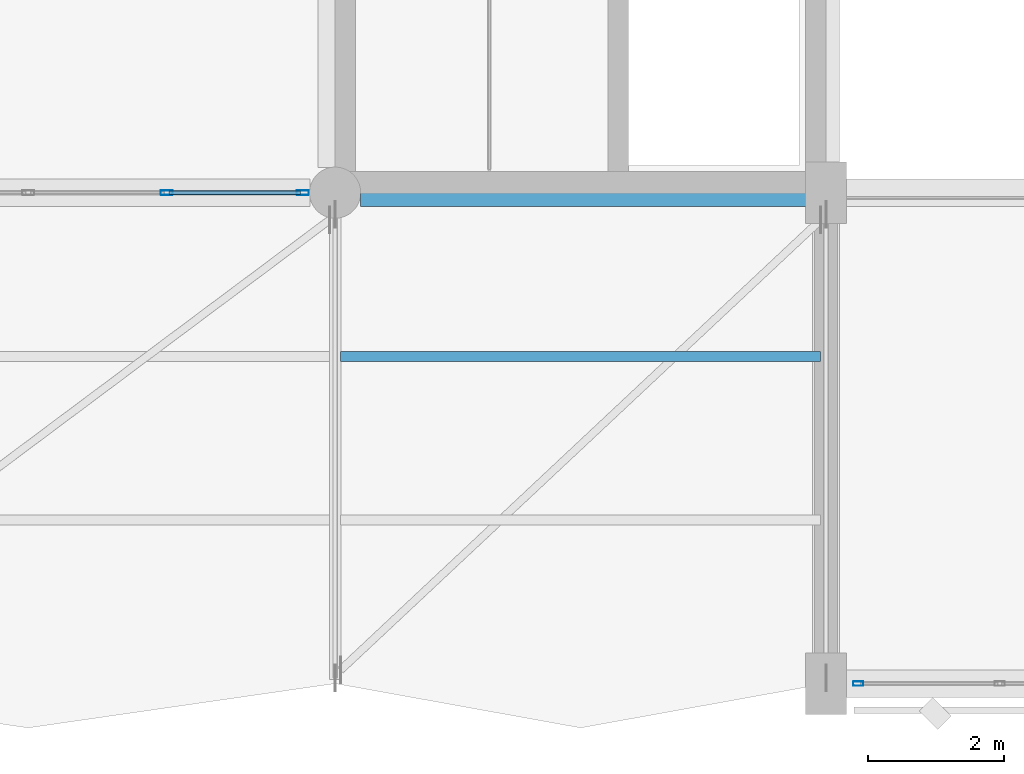
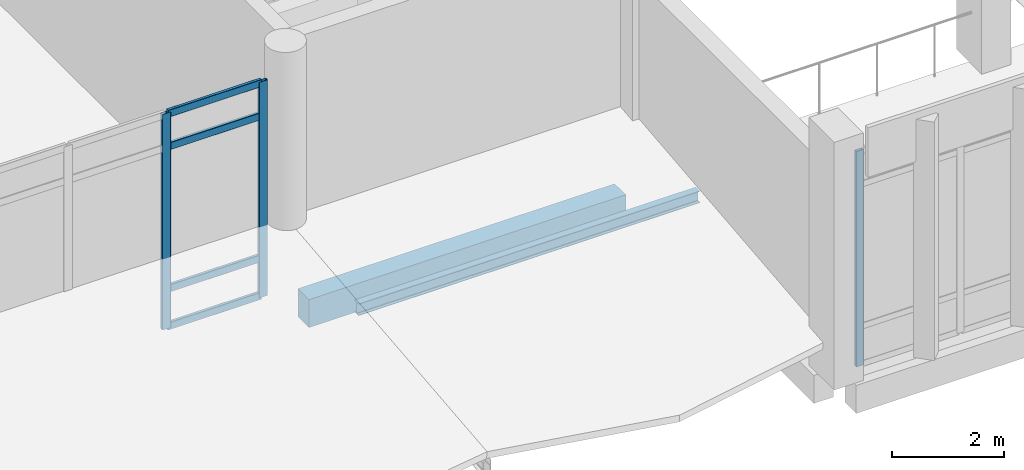
# One storey, part 41 of 180: 7 members, 2 beams, 2 elements without a shape of their own.
"""IFC4 building model written with IfcOpenShell, lengths in metres."""

from ifc_helpers import new_model, si_unit, direction, frame, origin, origin_2d, place, context, subcontext, project, spatial, rectangle, hollow_rectangle, i_section, extrude, material, material_profile, profile_set, type_object, element, aggregate, save


model = new_model("IFC4")

# Units and contexts
model_context = context("Model", 3, precision=1e-05, world=origin(), true_north=direction((0.0, 1.0)))
body_context = subcontext(model_context, "Body", "Model", "MODEL_VIEW")
ifc_project = project(units=[si_unit("LENGTHUNIT", "METRE"), si_unit("AREAUNIT", "SQUARE_METRE"), si_unit("VOLUMEUNIT", "CUBIC_METRE"), si_unit("PLANEANGLEUNIT", "RADIAN"), si_unit("MASSUNIT", "GRAM", prefix="KILO")], contexts=[model_context])

# Site, building, storey
site_placement = place(None, origin())
site = spatial("IfcSite", under=ifc_project, at=site_placement, CompositionType="ELEMENT")
building_placement = place(site_placement, origin())
building = spatial("IfcBuilding", under=site, at=building_placement, Name="Lusvemor Sports Hall", CompositionType="ELEMENT")
storey_placement = place(building_placement, frame((0.0, 0.0, 5.39990234375)))
storey = spatial("IfcBuildingStorey", under=building, at=storey_placement, Name="L01", CompositionType="ELEMENT", Elevation=5.39990234375)

# Curtain wall, members
ifc_material_1 = material(Name="Thermally broken bronze-anodized aluminium", Category="aluminium")
curtain_wall_type_1 = type_object("IfcCurtainWallType", Name="CW_FOYER_A", PredefinedType="NOTDEFINED", material=ifc_material_1)
curtain_wall_1_placement = place(storey_placement, origin())
curtain_wall_1 = element("IfcCurtainWall", 1, at=curtain_wall_1_placement, inside=storey, type_object=curtain_wall_type_1, Name="Curtain Wall CW-V4S-L01-3", PredefinedType="NOTDEFINED")
ifc_material_2 = material(Name="Thermally broken bronze-anodized aluminium", Category="aluminium")
ifc_material_profile_1 = material_profile(ifc_material_2, hollow_rectangle(XDim=0.070068359375, YDim=0.179931640625, WallThickness=0.0048828125, InnerFilletRadius=0.0048828125, OuterFilletRadius=0.010009765625, at=origin_2d()), Name="CWMUL180x70x5")
ifc_profile_set_1 = profile_set([ifc_material_profile_1], Name="Thermally broken bronze-anodized aluminium")
member_type_1 = type_object("IfcMemberType", Name="CW_MUL_A", PredefinedType="MULLION", material=ifc_profile_set_1)
member_1_placement = place(storey_placement, frame((111.125, 7.199951171875, 0.0), z_axis=(0.0, 0.0, 1.0), x_axis=(0.0, -1.0, 0.0)))
member_1 = element("IfcMember", 2, at=member_1_placement, type_object=member_type_1, Name="CW01 mullion 1", PredefinedType="MULLION", context=body_context, shape_type="SweptSolid", body=[
    extrude(hollow_rectangle(XDim=0.070068359375, YDim=0.179931640625, WallThickness=0.0048828125, InnerFilletRadius=0.0048828125, OuterFilletRadius=0.010009765625, at=origin_2d()), origin(), (0.0, 0.0, 1.0), 4.7001953125),
])
member_2_placement = place(storey_placement, frame((109.1298828125, 7.199951171875, 0.0), z_axis=(0.0, 0.0, 1.0), x_axis=(0.0, -1.0, 0.0)))
member_2 = element("IfcMember", 3, at=member_2_placement, type_object=member_type_1, Name="CW01 mullion 2", PredefinedType="MULLION", context=body_context, shape_type="SweptSolid", body=[
    extrude(hollow_rectangle(XDim=0.070068359375, YDim=0.179931640625, WallThickness=0.0048828125, InnerFilletRadius=0.0048828125, OuterFilletRadius=0.010009765625, at=origin_2d()), origin(), (0.0, 0.0, 1.0), 4.7001953125),
])

# Curtain wall, member
ifc_material_3 = material(Name="Thermally broken bronze-anodized aluminium", Category="aluminium")
curtain_wall_type_2 = type_object("IfcCurtainWallType", Name="CW_COURT_C", PredefinedType="NOTDEFINED", material=ifc_material_3)
curtain_wall_2_placement = place(storey_placement, origin())
curtain_wall_2 = element("IfcCurtainWall", 4, at=curtain_wall_2_placement, inside=storey, type_object=curtain_wall_type_2, Name="Curtain Wall CW-V2S-L01-0", PredefinedType="NOTDEFINED")
ifc_material_4 = material(Name="Thermally broken bronze-anodized aluminium", Category="aluminium")
ifc_material_profile_2 = material_profile(ifc_material_4, hollow_rectangle(XDim=0.06494140625, YDim=0.14990234375, WallThickness=0.00390625, InnerFilletRadius=0.00390625, OuterFilletRadius=0.008056640625, at=origin_2d()), Name="CWMUL150x65x4")
ifc_profile_set_2 = profile_set([ifc_material_profile_2], Name="Thermally broken bronze-anodized aluminium")
member_type_2 = type_object("IfcMemberType", Name="CW_MUL_B", PredefinedType="MULLION", material=ifc_profile_set_2)
member_3_placement = place(storey_placement, frame((119.2724609375, 0.0, 0.0), z_axis=(0.0, 0.0, 1.0), x_axis=(0.0, -1.0, 0.0)))
member_3 = element("IfcMember", 5, at=member_3_placement, type_object=member_type_2, Name="CW03 mullion 4", PredefinedType="MULLION", context=body_context, shape_type="SweptSolid", body=[
    extrude(hollow_rectangle(XDim=0.06494140625, YDim=0.14990234375, WallThickness=0.00390625, InnerFilletRadius=0.00390625, OuterFilletRadius=0.008056640625, at=origin_2d()), origin(), (0.0, 0.0, 1.0), 4.7001953125),
])
aggregate(curtain_wall_2, [member_3])

# Member
ifc_material_5 = material(Name="Thermally broken bronze-anodized aluminium", Category="aluminium")
ifc_material_profile_3 = material_profile(ifc_material_5, hollow_rectangle(XDim=0.06494140625, YDim=0.159912109375, WallThickness=0.00390625, InnerFilletRadius=0.00390625, OuterFilletRadius=0.008056640625, at=origin_2d()), Name="CWTRN160x65x4")
ifc_profile_set_3 = profile_set([ifc_material_profile_3], Name="Thermally broken bronze-anodized aluminium")
member_type_3 = type_object("IfcMemberType", Name="CW_TRN_A", PredefinedType="USERDEFINED", material=ifc_profile_set_3)
member_4_placement = place(storey_placement, frame((111.090087890625, 7.199951171875, 0.03271484375), z_axis=(-1.0, 0.0, 0.0), x_axis=(0.0, -1.0, 0.0)))
member_4 = element("IfcMember", 6, at=member_4_placement, type_object=member_type_3, Name="CW01 transom 1.1", ObjectType="TRANSOM", PredefinedType="USERDEFINED", context=body_context, shape_type="SweptSolid", body=[
    extrude(hollow_rectangle(XDim=0.06494140625, YDim=0.159912109375, WallThickness=0.00390625, InnerFilletRadius=0.00390625, OuterFilletRadius=0.008056640625, at=origin_2d()), origin(), (0.0, 0.0, 1.0), 1.925048828125),
])

member_5_placement = place(storey_placement, frame((111.090087890625, 7.199951171875, 0.85009765625), z_axis=(-1.0, 0.0, 0.0), x_axis=(0.0, -1.0, 0.0)))
member_5 = element("IfcMember", 7, at=member_5_placement, type_object=member_type_3, Name="CW01 transom 1.2", ObjectType="TRANSOM", PredefinedType="USERDEFINED", context=body_context, shape_type="SweptSolid", body=[
    extrude(hollow_rectangle(XDim=0.06494140625, YDim=0.159912109375, WallThickness=0.00390625, InnerFilletRadius=0.00390625, OuterFilletRadius=0.008056640625, at=origin_2d()), origin(), (0.0, 0.0, 1.0), 1.925048828125),
])

member_6_placement = place(storey_placement, frame((111.090087890625, 7.199951171875, 3.9501953125), z_axis=(-1.0, 0.0, 0.0), x_axis=(0.0, -1.0, 0.0)))
member_6 = element("IfcMember", 8, at=member_6_placement, type_object=member_type_3, Name="CW01 transom 1.3", ObjectType="TRANSOM", PredefinedType="USERDEFINED", context=body_context, shape_type="SweptSolid", body=[
    extrude(hollow_rectangle(XDim=0.06494140625, YDim=0.159912109375, WallThickness=0.00390625, InnerFilletRadius=0.00390625, OuterFilletRadius=0.008056640625, at=origin_2d()), origin(), (0.0, 0.0, 1.0), 1.925048828125),
])

member_7_placement = place(storey_placement, frame((111.090087890625, 7.199951171875, 4.66748046875), z_axis=(-1.0, 0.0, 0.0), x_axis=(0.0, -1.0, 0.0)))
member_7 = element("IfcMember", 9, at=member_7_placement, type_object=member_type_3, Name="CW01 transom 1.4", ObjectType="TRANSOM", PredefinedType="USERDEFINED", context=body_context, shape_type="SweptSolid", body=[
    extrude(hollow_rectangle(XDim=0.06494140625, YDim=0.159912109375, WallThickness=0.00390625, InnerFilletRadius=0.00390625, OuterFilletRadius=0.008056640625, at=origin_2d()), origin(), (0.0, 0.0, 1.0), 1.925048828125),
])

aggregate(curtain_wall_1, [member_1, member_2, member_4, member_5, member_6, member_7])

# Beams
ifc_material_6 = material(Name="Steel S355", Category="steel")
ifc_material_profile_4 = material_profile(ifc_material_6, i_section(OverallWidth=0.14599609375, OverallDepth=0.258056640625, WebThickness=0.006103515625, FlangeThickness=0.009033203125, FilletRadius=0.012939453125, at=origin_2d()), Name="W250x32.7")
ifc_profile_set_4 = profile_set([ifc_material_profile_4], Name="Steel S355")
beam_type_1 = type_object("IfcBeamType", Name="JOIST_CANOPY", PredefinedType="JOIST", material=ifc_profile_set_4)
beam_1_placement = place(storey_placement, frame((111.679931640625, 4.800048828125, 0.99658203125), z_axis=(1.0, 0.0, 0.0), x_axis=(0.0, 1.0, 0.0)))
element("IfcBeam", 10, at=beam_1_placement, inside=storey, type_object=beam_type_1, Name="Canopy Purlin Joist 12-2", PredefinedType="JOIST", context=body_context, shape_type="SweptSolid", body=[
    extrude(i_section(OverallWidth=0.14599609375, OverallDepth=0.258056640625, WebThickness=0.006103515625, FlangeThickness=0.009033203125, FilletRadius=0.012939453125, at=origin_2d()), origin(), (0.0, 0.0, 1.0), 7.0400390625),
])
ifc_material_7 = material(Name="Concrete C40/50", Category="concrete")
ifc_material_profile_5 = material_profile(ifc_material_7, rectangle(XDim=0.39990234375, YDim=0.610107421875, at=origin_2d()), Name="RC400x610")
ifc_profile_set_5 = profile_set([ifc_material_profile_5], Name="Concrete C40/50")
beam_type_2 = type_object("IfcBeamType", Name="SPAND_EXT_650", PredefinedType="SPANDREL", material=ifc_profile_set_5)
beam_2_placement = place(storey_placement, frame((111.970947265625, 7.199951171875, -0.56494140625), z_axis=(1.0, 0.0, 0.0), x_axis=(0.0, 1.0, 0.0)))
element("IfcBeam", 11, at=beam_2_placement, inside=storey, type_object=beam_type_2, Name="Beam L01 B:12-13", PredefinedType="SPANDREL", context=body_context, shape_type="SweptSolid", body=[
    extrude(rectangle(XDim=0.39990234375, YDim=0.610107421875, at=origin_2d()), origin(), (0.0, 0.0, 1.0), 6.532958984375),
])

save(model, "model.ifc")
